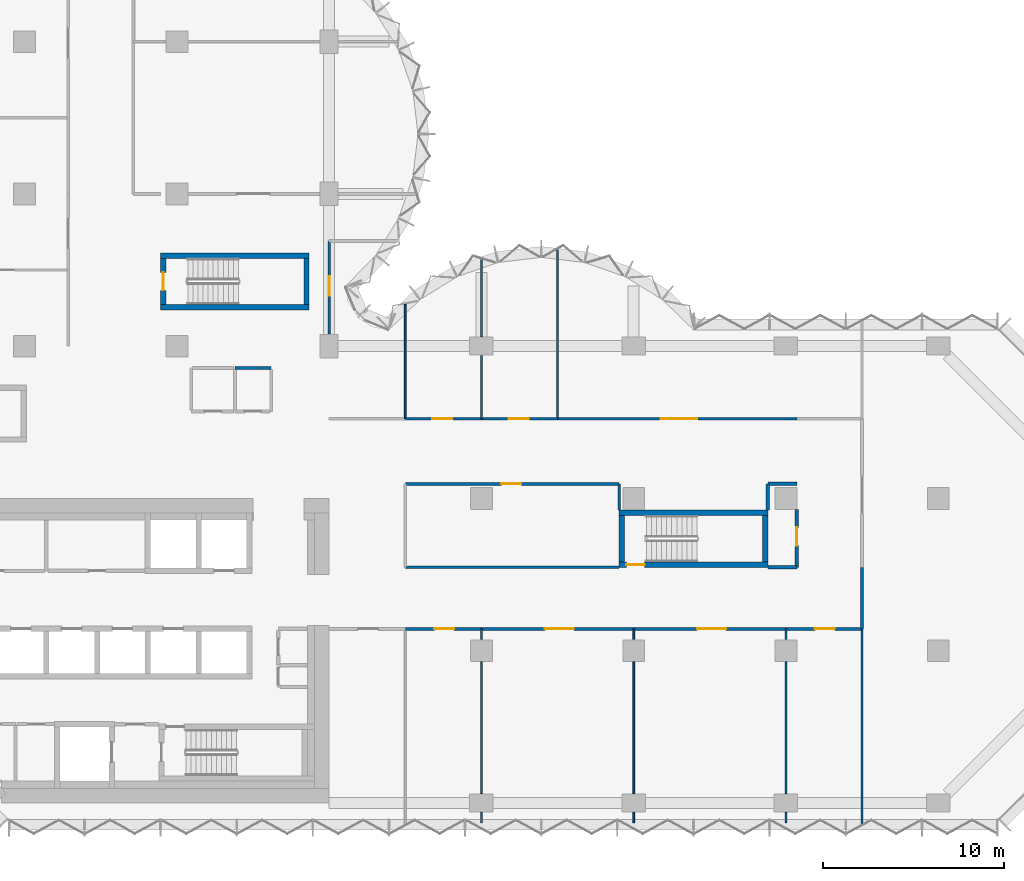
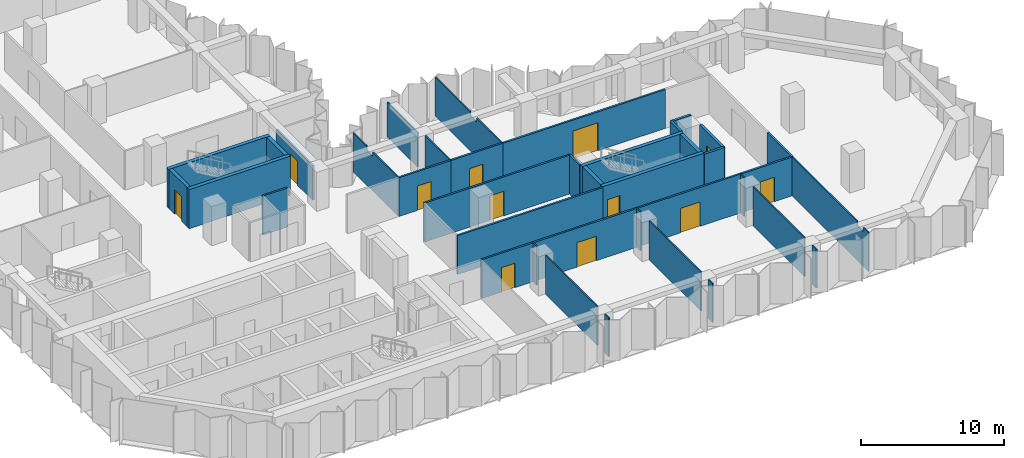
# One storey, part 9 of 13: 39 walls, 12 doors, 12 openings.
"""IFC4 building model written with IfcOpenShell, lengths in metres."""

from ifc_helpers import new_model, si_unit, direction, frame, frame_2d, origin, place, context, subcontext, project, spatial, polyline, rectangle, outline, extrude, material, layer, layer_set, type_object, element, fill, save


model = new_model("IFC4")

# Units and contexts
model_context = context("Model", 3, precision=1e-05, world=origin(), true_north=direction((0.0, 1.0)))
body_context = subcontext(model_context, "Body", "Model", "MODEL_VIEW")
ifc_project = project(units=[si_unit("LENGTHUNIT", "METRE"), si_unit("AREAUNIT", "SQUARE_METRE"), si_unit("VOLUMEUNIT", "CUBIC_METRE"), si_unit("PLANEANGLEUNIT", "RADIAN"), si_unit("MASSUNIT", "GRAM", prefix="KILO")], contexts=[model_context])

# Site, building, storey
site_placement = place(None, origin())
site = spatial("IfcSite", under=ifc_project, at=site_placement, CompositionType="ELEMENT")
building_placement = place(site_placement, origin())
building = spatial("IfcBuilding", under=site, at=building_placement, Name="Brevane Broadcast Tower", CompositionType="ELEMENT")
storey_placement = place(building_placement, frame((0.0, 0.0, 120.5)))
storey = spatial("IfcBuildingStorey", under=building, at=storey_placement, Name="L29", CompositionType="ELEMENT", Elevation=120.5)

# Walls
ifc_material_1 = material(Name="Gypsum board on steel studs", Category="steel")
ifc_layer_1 = layer(ifc_material_1, 0.14990234375)
ifc_layer_set_1 = layer_set([ifc_layer_1], Name="Core fire partition 150 mm")
wall_type_1 = type_object("IfcWallType", Name="Core fire partition 150 mm", PredefinedType="PARTITIONING", material=ifc_layer_set_1)
wall_1_placement = place(storey_placement, frame((20.0, 24.0, 0.0), z_axis=(0.0, 0.0, 1.0), x_axis=(1.0, 0.0, 0.0)))
element("IfcWall", 1, at=wall_1_placement, inside=storey, type_object=wall_type_1, Name="L29 partition wall P15", PredefinedType="PARTITIONING", context=body_context, shape_type="SweptSolid", body=[
    extrude(rectangle(XDim=2.0, YDim=0.14990234375, at=frame_2d((1.0, 0.0))), origin(), (0.0, 0.0, 1.0), 3.35009765625),
])
ifc_material_2 = material(Name="Concrete C60/75", Category="concrete")
ifc_layer_2 = layer(ifc_material_2, 0.300048828125)
ifc_layer_set_2 = layer_set([ifc_layer_2], Name="Core wall 300 mm C60/75")
wall_type_2 = type_object("IfcWallType", Name="Core wall 300 mm C60/75", PredefinedType="SHEAR", material=ifc_layer_set_2)
for number, where, z_axis, x_axis, name in (
    (2, (15.89990234375, 27.35009765625, 0.0), (0.0, 0.0, 1.0), (1.0, 0.0, 0.0), "L29 stair wall ST-3-S"),
    (3, (15.89990234375, 30.199951171875, 0.0), (0.0, 0.0, 1.0), (1.0, 0.0, 0.0), "L29 stair wall ST-3-N"),
):
    element("IfcWall", number, at=place(storey_placement, frame(where, z_axis=z_axis, x_axis=x_axis)), inside=storey, type_object=wall_type_2, Name=name, PredefinedType="SHEAR", context=body_context, shape_type="SweptSolid", body=[
        extrude(rectangle(XDim=8.2001953125, YDim=0.300048828125, at=frame_2d((4.10009765625, 0.0))), origin(), (0.0, 0.0, 1.0), 3.35009765625),
    ])

# Wall, opening, door
wall_2_placement = place(storey_placement, frame((16.050048828125, 27.5, 0.0), z_axis=(0.0, 0.0, 1.0), x_axis=(0.0, 1.0, 0.0)))
wall_2 = element("IfcWall", 4, at=wall_2_placement, inside=storey, type_object=wall_type_2, Name="L29 stair wall ST-3-W", PredefinedType="SHEAR", context=body_context, shape_type="SweptSolid", body=[
    extrude(rectangle(XDim=2.550048828125, YDim=0.300048828125, at=frame_2d((1.27490234375, 0.0))), origin(), (0.0, 0.0, 1.0), 3.35009765625),
])
opening_1_placement = place(wall_2_placement, frame((0.77490234375, 0.0, 0.0)))
opening_1 = element("IfcOpeningElement", 5, at=opening_1_placement, cuts=wall_2, Name="Opening L29-K14", PredefinedType="OPENING", context=body_context, shape_type="SweptSolid", body=[
    extrude(rectangle(XDim=1.0, YDim=2.10009765625, at=frame_2d((0.5, 1.050048828125))), frame((0.0, 0.159912109375, 0.0), z_axis=(0.0, -1.0, 0.0), x_axis=(1.0, 0.0, 0.0)), (0.0, 0.0, 1.0), 0.320068359375),
])
ifc_material_3 = material(Name="Steel", Category="steel")
door_type_1 = type_object("IfcDoorType", Name="Stair door 1000 x 2100", OperationType="SINGLE_SWING_LEFT", PredefinedType="DOOR", material=ifc_material_3)
door_1_placement = place(opening_1_placement, origin())
door_1 = element("IfcDoor", 6, at=door_1_placement, inside=storey, type_object=door_type_1, Name="Door L29-K14", OperationType="SINGLE_SWING_LEFT", OverallHeight=2.10009765625, OverallWidth=1.0, PredefinedType="DOOR", context=body_context, shape_type="SweptSolid", body=[
    extrude(rectangle(XDim=1.0, YDim=2.10009765625, at=frame_2d((0.5, 1.050048828125))), frame((0.0, 0.02490234375, 0.0), z_axis=(0.0, -1.0, 0.0), x_axis=(1.0, 0.0, 0.0)), (0.0, 0.0, 1.0), 0.050048828125),
])
fill(opening_1, door_1)

# Wall
wall_3_placement = place(storey_placement, frame((23.949951171875, 27.5, 0.0), z_axis=(0.0, 0.0, 1.0), x_axis=(0.0, 1.0, 0.0)))
element("IfcWall", 7, at=wall_3_placement, inside=storey, type_object=wall_type_2, Name="L29 stair wall ST-3-E", PredefinedType="SHEAR", context=body_context, shape_type="SweptSolid", body=[
    extrude(rectangle(XDim=2.550048828125, YDim=0.300048828125, at=frame_2d((1.27490234375, 0.0))), origin(), (0.0, 0.0, 1.0), 3.35009765625),
])

# Wall, opening, door
wall_4_placement = place(storey_placement, frame((49.39990234375, 13.14990234375, 0.0), z_axis=(0.0, 0.0, 1.0), x_axis=(-1.0, 0.0, 0.0)))
wall_4 = element("IfcWall", 8, at=wall_4_placement, inside=storey, type_object=wall_type_2, Name="L29 stair wall ST-4-S", PredefinedType="SHEAR", context=body_context, shape_type="SweptSolid", body=[
    extrude(rectangle(XDim=8.199951171875, YDim=0.300048828125, at=frame_2d((4.10009765625, 0.0))), origin(), (0.0, 0.0, 1.0), 3.35009765625),
])
opening_2_placement = place(wall_4_placement, frame((6.800048828125, 0.0, 0.0)))
opening_2 = element("IfcOpeningElement", 9, at=opening_2_placement, cuts=wall_4, Name="Opening L29-K15", PredefinedType="OPENING", context=body_context, shape_type="SweptSolid", body=[
    extrude(rectangle(XDim=1.0, YDim=2.10009765625, at=frame_2d((0.5, 1.050048828125))), frame((0.0, 0.159912109375, 0.0), z_axis=(0.0, -1.0, 0.0), x_axis=(1.0, 0.0, 0.0)), (0.0, 0.0, 1.0), 0.320068359375),
])
door_2_placement = place(opening_2_placement, origin())
door_2 = element("IfcDoor", 10, at=door_2_placement, inside=storey, type_object=door_type_1, Name="Door L29-K15", OperationType="SINGLE_SWING_RIGHT", OverallHeight=2.10009765625, OverallWidth=1.0, PredefinedType="DOOR", context=body_context, shape_type="SweptSolid", body=[
    extrude(rectangle(XDim=1.0, YDim=2.10009765625, at=frame_2d((0.5, 1.050048828125))), frame((0.0, 0.02490234375, 0.0), z_axis=(0.0, -1.0, 0.0), x_axis=(1.0, 0.0, 0.0)), (0.0, 0.0, 1.0), 0.050048828125),
])
fill(opening_2, door_2)

# Walls
wall_5_placement = place(storey_placement, frame((41.199951171875, 16.0, 0.0), z_axis=(0.0, 0.0, 1.0), x_axis=(1.0, 0.0, 0.0)))
element("IfcWall", 11, at=wall_5_placement, inside=storey, type_object=wall_type_2, Name="L29 stair wall ST-4-N", PredefinedType="SHEAR", context=body_context, shape_type="SweptSolid", body=[
    extrude(rectangle(XDim=8.199951171875, YDim=0.300048828125, at=frame_2d((4.10009765625, 0.0))), origin(), (0.0, 0.0, 1.0), 3.35009765625),
])
for number, where, z_axis, x_axis, name in (
    (12, (41.35009765625, 13.300048828125, 0.0), (0.0, 0.0, 1.0), (0.0, 1.0, 0.0), "L29 stair wall ST-4-W"),
    (13, (49.25, 13.300048828125, 0.0), (0.0, 0.0, 1.0), (0.0, 1.0, 0.0), "L29 stair wall ST-4-E"),
):
    element("IfcWall", number, at=place(storey_placement, frame(where, z_axis=z_axis, x_axis=x_axis)), inside=storey, type_object=wall_type_2, Name=name, PredefinedType="SHEAR", context=body_context, shape_type="SweptSolid", body=[
        extrude(rectangle(XDim=2.550048828125, YDim=0.300048828125, at=frame_2d((1.27490234375, 0.0))), origin(), (0.0, 0.0, 1.0), 3.35009765625),
    ])
ifc_material_4 = material(Name="Gypsum board partition")
ifc_layer_3 = layer(ifc_material_4, 0.10009765625)
ifc_layer_set_3 = layer_set([ifc_layer_3], Name="PARTITION 100 STUD")
wall_type_3 = type_object("IfcWallType", Name="PARTITION 100 STUD", PredefinedType="PARTITIONING", material=ifc_layer_set_3)
wall_6_placement = place(storey_placement, frame((29.39990234375, 27.510986328125, 0.0), z_axis=(0.0, 0.0, 1.0), x_axis=(0.0, -1.0, 0.0)))
element("IfcWall", 14, at=wall_6_placement, inside=storey, type_object=wall_type_3, Name="Partition G08-004", PredefinedType="PARTITIONING", context=body_context, shape_type="SweptSolid", body=[
    extrude(outline(polyline([(0.0, 0.0), (6.31103515625, 0.0), (6.31103515625, 3.330078125), (2.760986328125, 3.330078125), (2.759033203125, 2.97998046875), (1.863037109375, 2.97998046875), (1.861083984375, 3.330078125), (0.236083984375, 3.330078125), (0.0, 3.330078125), (0.0, 0.0)])), frame((0.0, 0.050048828125, 0.0), z_axis=(0.0, -1.0, 0.0), x_axis=(1.0, 0.0, 0.0)), (0.0, 0.0, 1.0), 0.10009765625),
])
wall_7_placement = place(storey_placement, frame((54.60009765625, -1.174072265625, 0.0), z_axis=(0.0, 0.0, 1.0), x_axis=(0.0, 1.0, 0.0)))
element("IfcWall", 15, at=wall_7_placement, inside=storey, type_object=wall_type_3, Name="Partition G08-015", PredefinedType="PARTITIONING", context=body_context, shape_type="SweptSolid", body=[
    extrude(outline(polyline([(0.0, 0.0), (10.774169921875, 0.0), (10.77392578125, 3.330078125), (1.6240234375, 3.330078125), (1.6220703125, 2.97998046875), (0.72607421875, 2.97998046875), (0.72412109375, 3.330078125), (0.073974609375, 3.330078125), (0.0, 3.330078125), (0.0, 0.0)])), frame((0.0, 0.050048828125, 0.0), z_axis=(0.0, -1.0, 0.0), x_axis=(1.0, 0.0, 0.0)), (0.0, 0.0, 1.0), 0.10009765625),
])
wall_8_placement = place(storey_placement, frame((33.60009765625, 9.60009765625, 0.0), z_axis=(0.0, 0.0, 1.0), x_axis=(0.0, -1.0, 0.0)))
element("IfcWall", 16, at=wall_8_placement, inside=storey, type_object=wall_type_3, Name="Partition G08-027", PredefinedType="PARTITIONING", context=body_context, shape_type="SweptSolid", body=[
    extrude(rectangle(XDim=0.580078125, YDim=0.10009765625, at=frame_2d((0.2900390625, 0.0))), origin(), (0.0, 0.0, 1.0), 3.330078125),
])
wall_9_placement = place(storey_placement, frame((33.60009765625, 7.780029296875, 0.0), z_axis=(0.0, 0.0, 1.0), x_axis=(0.0, -1.0, 0.0)))
element("IfcWall", 17, at=wall_9_placement, inside=storey, type_object=wall_type_3, Name="Partition G08-028", PredefinedType="PARTITIONING", context=body_context, shape_type="SweptSolid", body=[
    extrude(rectangle(XDim=7.260009765625, YDim=0.10009765625, at=frame_2d((3.6298828125, 0.0))), origin(), (0.0, 0.0, 1.0), 3.330078125),
])
for number, where, z_axis, x_axis, name in (
    (18, (33.60009765625, -0.52001953125, 0.0), (0.0, 0.0, 1.0), (0.0, -1.0, 0.0), "Partition G08-029"),
    (19, (42.0, 9.60009765625, 0.0), (0.0, 0.0, 1.0), (0.0, -1.0, 0.0), "Partition G08-030"),
):
    element("IfcWall", number, at=place(storey_placement, frame(where, z_axis=z_axis, x_axis=x_axis)), inside=storey, type_object=wall_type_3, Name=name, PredefinedType="PARTITIONING", context=body_context, shape_type="SweptSolid", body=[
        extrude(rectangle(XDim=0.580078125, YDim=0.10009765625, at=frame_2d((0.2900390625, 0.0))), origin(), (0.0, 0.0, 1.0), 3.330078125),
    ])
wall_10_placement = place(storey_placement, frame((42.0, 7.780029296875, 0.0), z_axis=(0.0, 0.0, 1.0), x_axis=(0.0, -1.0, 0.0)))
element("IfcWall", 20, at=wall_10_placement, inside=storey, type_object=wall_type_3, Name="Partition G08-031", PredefinedType="PARTITIONING", context=body_context, shape_type="SweptSolid", body=[
    extrude(rectangle(XDim=7.260009765625, YDim=0.10009765625, at=frame_2d((3.6298828125, 0.0))), origin(), (0.0, 0.0, 1.0), 3.330078125),
])
for number, where, z_axis, x_axis, name in (
    (21, (42.0, -0.52001953125, 0.0), (0.0, 0.0, 1.0), (0.0, -1.0, 0.0), "Partition G08-032"),
    (22, (50.39990234375, 9.60009765625, 0.0), (0.0, 0.0, 1.0), (0.0, -1.0, 0.0), "Partition G08-033"),
):
    element("IfcWall", number, at=place(storey_placement, frame(where, z_axis=z_axis, x_axis=x_axis)), inside=storey, type_object=wall_type_3, Name=name, PredefinedType="PARTITIONING", context=body_context, shape_type="SweptSolid", body=[
        extrude(rectangle(XDim=0.580078125, YDim=0.10009765625, at=frame_2d((0.2900390625, 0.0))), origin(), (0.0, 0.0, 1.0), 3.330078125),
    ])
wall_11_placement = place(storey_placement, frame((50.39990234375, 7.780029296875, 0.0), z_axis=(0.0, 0.0, 1.0), x_axis=(0.0, -1.0, 0.0)))
element("IfcWall", 23, at=wall_11_placement, inside=storey, type_object=wall_type_3, Name="Partition G08-034", PredefinedType="PARTITIONING", context=body_context, shape_type="SweptSolid", body=[
    extrude(rectangle(XDim=7.260009765625, YDim=0.10009765625, at=frame_2d((3.6298828125, 0.0))), origin(), (0.0, 0.0, 1.0), 3.330078125),
])
wall_12_placement = place(storey_placement, frame((50.39990234375, -0.52001953125, 0.0), z_axis=(0.0, 0.0, 1.0), x_axis=(0.0, -1.0, 0.0)))
element("IfcWall", 24, at=wall_12_placement, inside=storey, type_object=wall_type_3, Name="Partition G08-035", PredefinedType="PARTITIONING", context=body_context, shape_type="SweptSolid", body=[
    extrude(rectangle(XDim=0.580078125, YDim=0.10009765625, at=frame_2d((0.2900390625, 0.0))), origin(), (0.0, 0.0, 1.0), 3.330078125),
])
wall_13_placement = place(storey_placement, frame((33.60009765625, 29.98828125, 0.0), z_axis=(0.0, 0.0, 1.0), x_axis=(0.0, -1.0, 0.0)))
element("IfcWall", 25, at=wall_13_placement, inside=storey, type_object=wall_type_3, Name="Partition G08-036", PredefinedType="PARTITIONING", context=body_context, shape_type="SweptSolid", body=[
    extrude(rectangle(XDim=4.268310546875, YDim=0.10009765625, at=frame_2d((2.13427734375, 0.0))), origin(), (0.0, 0.0, 1.0), 2.97998046875),
])
wall_14_placement = place(storey_placement, frame((33.60009765625, 24.679931640625, 0.0), z_axis=(0.0, 0.0, 1.0), x_axis=(0.0, -1.0, 0.0)))
element("IfcWall", 26, at=wall_14_placement, inside=storey, type_object=wall_type_3, Name="Partition G08-037", PredefinedType="PARTITIONING", context=body_context, shape_type="SweptSolid", body=[
    extrude(rectangle(XDim=3.47998046875, YDim=0.10009765625, at=frame_2d((1.739990234375, 0.0))), origin(), (0.0, 0.0, 1.0), 3.330078125),
])
wall_15_placement = place(storey_placement, frame((37.800048828125, 30.52587890625, 0.0), z_axis=(0.0, 0.0, 1.0), x_axis=(0.0, -1.0, 0.0)))
element("IfcWall", 27, at=wall_15_placement, inside=storey, type_object=wall_type_3, Name="Partition G08-038", PredefinedType="PARTITIONING", context=body_context, shape_type="SweptSolid", body=[
    extrude(outline(polyline([(0.0, 0.0), (9.325927734375, 0.0), (9.325927734375, 3.330078125), (5.77587890625, 3.330078125), (5.77392578125, 2.97998046875), (4.8779296875, 2.97998046875), (4.8759765625, 3.330078125), (0.283203125, 3.330078125), (0.0, 3.330078125), (0.0, 0.0)])), frame((0.0, 0.050048828125, 0.0), z_axis=(0.0, -1.0, 0.0), x_axis=(1.0, 0.0, 0.0)), (0.0, 0.0, 1.0), 0.10009765625),
])

# Wall, opening, door
ifc_layer_4 = layer(ifc_material_4, 0.14990234375)
ifc_layer_set_4 = layer_set([ifc_layer_4], Name="PARTITION 150 EI 60")
wall_type_4 = type_object("IfcWallType", Name="PARTITION 150 EI 60", PredefinedType="PARTITIONING", material=ifc_layer_set_4)
wall_16_placement = place(storey_placement, frame((25.199951171875, 31.0, 0.0), z_axis=(0.0, 0.0, 1.0), x_axis=(0.0, -1.0, 0.0)))
wall_16 = element("IfcWall", 28, at=wall_16_placement, inside=storey, type_object=wall_type_4, Name="Partition G08-005", PredefinedType="PARTITIONING", context=body_context, shape_type="SweptSolid", body=[
    extrude(outline(polyline([(0.0, 0.0), (5.1298828125, 0.0), (5.1298828125, 2.97998046875), (0.0, 2.97998046875), (0.0, 0.0)])), frame((0.0, 0.074951171875, 0.0), z_axis=(0.0, -1.0, 0.0), x_axis=(1.0, 0.0, 0.0)), (0.0, 0.0, 1.0), 0.14990234375),
])
opening_3_placement = place(wall_16_placement, frame((1.929931640625, 0.0, 0.0)))
opening_3 = element("IfcOpeningElement", 29, at=opening_3_placement, cuts=wall_16, Name="Opening D15-001", PredefinedType="OPENING", context=body_context, shape_type="SweptSolid", body=[
    extrude(rectangle(XDim=1.10009765625, YDim=2.10009765625, at=frame_2d((0.550048828125, 1.050048828125))), frame((0.0, 0.0849609375, 0.0), z_axis=(0.0, -1.0, 0.0), x_axis=(1.0, 0.0, 0.0)), (0.0, 0.0, 1.0), 0.169921875),
])
ifc_material_5 = material(Name="Fire-rated timber door leaf", Category="wood")
door_type_2 = type_object("IfcDoorType", Name="DOOR SINGLE 1100 FD30S", OperationType="SINGLE_SWING_LEFT", PredefinedType="DOOR", material=ifc_material_5)
door_3_placement = place(opening_3_placement, origin())
door_3 = element("IfcDoor", 30, at=door_3_placement, inside=storey, type_object=door_type_2, Name="Door D15-001", OperationType="SINGLE_SWING_RIGHT", OverallHeight=2.10009765625, OverallWidth=1.10009765625, PredefinedType="DOOR", context=body_context, shape_type="SweptSolid", body=[
    extrude(rectangle(XDim=1.10009765625, YDim=2.10009765625, at=frame_2d((0.550048828125, 1.050048828125))), frame((0.0, 0.02490234375, 0.0), z_axis=(0.0, -1.0, 0.0), x_axis=(1.0, 0.0, 0.0)), (0.0, 0.0, 1.0), 0.050048828125),
])
fill(opening_3, door_3)

# Walls
wall_17_placement = place(storey_placement, frame((54.60009765625, 13.0, 0.0), z_axis=(0.0, 0.0, 1.0), x_axis=(0.0, -1.0, 0.0)))
element("IfcWall", 31, at=wall_17_placement, inside=storey, type_object=wall_type_4, Name="Partition G08-007", PredefinedType="PARTITIONING", context=body_context, shape_type="SweptSolid", body=[
    extrude(rectangle(XDim=3.39990234375, YDim=0.14990234375, at=frame_2d((1.699951171875, 0.0))), origin(), (0.0, 0.0, 1.0), 3.330078125),
])
wall_18_placement = place(storey_placement, frame((29.39990234375, 13.0, 0.0), z_axis=(0.0, 0.0, 1.0), x_axis=(1.0, 0.0, 0.0)))
element("IfcWall", 32, at=wall_18_placement, inside=storey, type_object=wall_type_4, Name="Partition G08-008", PredefinedType="PARTITIONING", context=body_context, shape_type="SweptSolid", body=[
    extrude(rectangle(XDim=11.800048828125, YDim=0.14990234375, at=frame_2d((5.89990234375, 0.0))), origin(), (0.0, 0.0, 1.0), 3.330078125),
])

# Wall, opening, door
wall_19_placement = place(storey_placement, frame((33.60009765625, 9.60009765625, 0.0), z_axis=(0.0, 0.0, 1.0), x_axis=(-1.0, 0.0, 0.0)))
wall_19 = element("IfcWall", 33, at=wall_19_placement, inside=storey, type_object=wall_type_4, Name="Partition G08-010", PredefinedType="PARTITIONING", context=body_context, shape_type="SweptSolid", body=[
    extrude(rectangle(XDim=4.2001953125, YDim=0.14990234375, at=frame_2d((2.10009765625, 0.0))), origin(), (0.0, 0.0, 1.0), 3.330078125),
])
opening_4_placement = place(wall_19_placement, frame((1.5, 0.0, 0.0)))
opening_4 = element("IfcOpeningElement", 34, at=opening_4_placement, cuts=wall_19, Name="Opening D15-006", PredefinedType="OPENING", context=body_context, shape_type="SweptSolid", body=[
    extrude(rectangle(XDim=1.10009765625, YDim=2.10009765625, at=frame_2d((0.550048828125, 1.050048828125))), frame((0.0, 0.0849609375, 0.0), z_axis=(0.0, -1.0, 0.0), x_axis=(1.0, 0.0, 0.0)), (0.0, 0.0, 1.0), 0.169921875),
])
door_4_placement = place(opening_4_placement, origin())
door_4 = element("IfcDoor", 35, at=door_4_placement, inside=storey, type_object=door_type_2, Name="Door D15-006", OperationType="SINGLE_SWING_LEFT", OverallHeight=2.10009765625, OverallWidth=1.10009765625, PredefinedType="DOOR", context=body_context, shape_type="SweptSolid", body=[
    extrude(rectangle(XDim=1.10009765625, YDim=2.10009765625, at=frame_2d((0.550048828125, 1.050048828125))), frame((0.0, 0.02490234375, 0.0), z_axis=(0.0, -1.0, 0.0), x_axis=(1.0, 0.0, 0.0)), (0.0, 0.0, 1.0), 0.050048828125),
])
fill(opening_4, door_4)

wall_20_placement = place(storey_placement, frame((42.0, 9.60009765625, 0.0), z_axis=(0.0, 0.0, 1.0), x_axis=(-1.0, 0.0, 0.0)))
wall_20 = element("IfcWall", 36, at=wall_20_placement, inside=storey, type_object=wall_type_4, Name="Partition G08-011", PredefinedType="PARTITIONING", context=body_context, shape_type="SweptSolid", body=[
    extrude(rectangle(XDim=8.39990234375, YDim=0.14990234375, at=frame_2d((4.199951171875, 0.0))), origin(), (0.0, 0.0, 1.0), 3.330078125),
])
opening_5_placement = place(wall_20_placement, frame((3.300048828125, 0.0, 0.0)))
opening_5 = element("IfcOpeningElement", 37, at=opening_5_placement, cuts=wall_20, Name="Opening D15-007", PredefinedType="OPENING", context=body_context, shape_type="SweptSolid", body=[
    extrude(rectangle(XDim=1.60009765625, YDim=2.10009765625, at=frame_2d((0.800048828125, 1.050048828125))), frame((0.0, 0.0849609375, 0.0), z_axis=(0.0, -1.0, 0.0), x_axis=(1.0, 0.0, 0.0)), (0.0, 0.0, 1.0), 0.169921875),
])
door_type_3 = type_object("IfcDoorType", Name="DOOR DOUBLE 1600 FD30S", OperationType="DOUBLE_DOOR_SINGLE_SWING", PredefinedType="DOOR", material=ifc_material_5)
door_5_placement = place(opening_5_placement, origin())
door_5 = element("IfcDoor", 38, at=door_5_placement, inside=storey, type_object=door_type_3, Name="Door D15-007", OperationType="DOUBLE_DOOR_SINGLE_SWING", OverallHeight=2.10009765625, OverallWidth=1.60009765625, PredefinedType="DOOR", context=body_context, shape_type="SweptSolid", body=[
    extrude(rectangle(XDim=1.60009765625, YDim=2.10009765625, at=frame_2d((0.800048828125, 1.050048828125))), frame((0.0, 0.02490234375, 0.0), z_axis=(0.0, -1.0, 0.0), x_axis=(1.0, 0.0, 0.0)), (0.0, 0.0, 1.0), 0.050048828125),
])
fill(opening_5, door_5)

wall_21_placement = place(storey_placement, frame((50.39990234375, 9.60009765625, 0.0), z_axis=(0.0, 0.0, 1.0), x_axis=(-1.0, 0.0, 0.0)))
wall_21 = element("IfcWall", 39, at=wall_21_placement, inside=storey, type_object=wall_type_4, Name="Partition G08-012", PredefinedType="PARTITIONING", context=body_context, shape_type="SweptSolid", body=[
    extrude(rectangle(XDim=8.39990234375, YDim=0.14990234375, at=frame_2d((4.199951171875, 0.0))), origin(), (0.0, 0.0, 1.0), 3.330078125),
])
opening_6_placement = place(wall_21_placement, frame((3.300048828125, 0.0, 0.0)))
opening_6 = element("IfcOpeningElement", 40, at=opening_6_placement, cuts=wall_21, Name="Opening D15-008", PredefinedType="OPENING", context=body_context, shape_type="SweptSolid", body=[
    extrude(rectangle(XDim=1.60009765625, YDim=2.10009765625, at=frame_2d((0.800048828125, 1.050048828125))), frame((0.0, 0.0849609375, 0.0), z_axis=(0.0, -1.0, 0.0), x_axis=(1.0, 0.0, 0.0)), (0.0, 0.0, 1.0), 0.169921875),
])
door_6_placement = place(opening_6_placement, origin())
door_6 = element("IfcDoor", 41, at=door_6_placement, inside=storey, type_object=door_type_3, Name="Door D15-008", OperationType="DOUBLE_DOOR_SINGLE_SWING", OverallHeight=2.10009765625, OverallWidth=1.60009765625, PredefinedType="DOOR", context=body_context, shape_type="SweptSolid", body=[
    extrude(rectangle(XDim=1.60009765625, YDim=2.10009765625, at=frame_2d((0.800048828125, 1.050048828125))), frame((0.0, 0.02490234375, 0.0), z_axis=(0.0, -1.0, 0.0), x_axis=(1.0, 0.0, 0.0)), (0.0, 0.0, 1.0), 0.050048828125),
])
fill(opening_6, door_6)

wall_22_placement = place(storey_placement, frame((54.60009765625, 9.60009765625, 0.0), z_axis=(0.0, 0.0, 1.0), x_axis=(-1.0, 0.0, 0.0)))
wall_22 = element("IfcWall", 42, at=wall_22_placement, inside=storey, type_object=wall_type_4, Name="Partition G08-013", PredefinedType="PARTITIONING", context=body_context, shape_type="SweptSolid", body=[
    extrude(rectangle(XDim=4.2001953125, YDim=0.14990234375, at=frame_2d((2.10009765625, 0.0))), origin(), (0.0, 0.0, 1.0), 3.330078125),
])
opening_7_placement = place(wall_22_placement, frame((1.5, 0.0, 0.0)))
opening_7 = element("IfcOpeningElement", 43, at=opening_7_placement, cuts=wall_22, Name="Opening D15-009", PredefinedType="OPENING", context=body_context, shape_type="SweptSolid", body=[
    extrude(rectangle(XDim=1.10009765625, YDim=2.10009765625, at=frame_2d((0.550048828125, 1.050048828125))), frame((0.0, 0.0849609375, 0.0), z_axis=(0.0, -1.0, 0.0), x_axis=(1.0, 0.0, 0.0)), (0.0, 0.0, 1.0), 0.169921875),
])
door_7_placement = place(opening_7_placement, origin())
door_7 = element("IfcDoor", 44, at=door_7_placement, inside=storey, type_object=door_type_2, Name="Door D15-009", OperationType="SINGLE_SWING_LEFT", OverallHeight=2.10009765625, OverallWidth=1.10009765625, PredefinedType="DOOR", context=body_context, shape_type="SweptSolid", body=[
    extrude(rectangle(XDim=1.10009765625, YDim=2.10009765625, at=frame_2d((0.550048828125, 1.050048828125))), frame((0.0, 0.02490234375, 0.0), z_axis=(0.0, -1.0, 0.0), x_axis=(1.0, 0.0, 0.0)), (0.0, 0.0, 1.0), 0.050048828125),
])
fill(opening_7, door_7)

# Wall
wall_23_placement = place(storey_placement, frame((41.199951171875, 16.14990234375, 0.0), z_axis=(0.0, 0.0, 1.0), x_axis=(0.0, 1.0, 0.0)))
element("IfcWall", 45, at=wall_23_placement, inside=storey, type_object=wall_type_4, Name="Partition G08-017", PredefinedType="PARTITIONING", context=body_context, shape_type="SweptSolid", body=[
    extrude(rectangle(XDim=1.4501953125, YDim=0.14990234375, at=frame_2d((0.72509765625, 0.0))), origin(), (0.0, 0.0, 1.0), 3.330078125),
])

# Wall, opening, door
wall_24_placement = place(storey_placement, frame((41.199951171875, 17.60009765625, 0.0), z_axis=(0.0, 0.0, 1.0), x_axis=(-1.0, 0.0, 0.0)))
wall_24 = element("IfcWall", 46, at=wall_24_placement, inside=storey, type_object=wall_type_4, Name="Partition G08-018", PredefinedType="PARTITIONING", context=body_context, shape_type="SweptSolid", body=[
    extrude(rectangle(XDim=11.800048828125, YDim=0.14990234375, at=frame_2d((5.89990234375, 0.0))), origin(), (0.0, 0.0, 1.0), 3.330078125),
])
opening_8_placement = place(wall_24_placement, frame((5.39990234375, 0.0, 0.0)))
opening_8 = element("IfcOpeningElement", 47, at=opening_8_placement, cuts=wall_24, Name="Opening D15-003", PredefinedType="OPENING", context=body_context, shape_type="SweptSolid", body=[
    extrude(rectangle(XDim=1.10009765625, YDim=2.10009765625, at=frame_2d((0.550048828125, 1.050048828125))), frame((0.0, 0.0849609375, 0.0), z_axis=(0.0, -1.0, 0.0), x_axis=(1.0, 0.0, 0.0)), (0.0, 0.0, 1.0), 0.169921875),
])
door_8_placement = place(opening_8_placement, origin())
door_8 = element("IfcDoor", 48, at=door_8_placement, inside=storey, type_object=door_type_2, Name="Door D15-003", OperationType="SINGLE_SWING_LEFT", OverallHeight=2.10009765625, OverallWidth=1.10009765625, PredefinedType="DOOR", context=body_context, shape_type="SweptSolid", body=[
    extrude(rectangle(XDim=1.10009765625, YDim=2.10009765625, at=frame_2d((0.550048828125, 1.050048828125))), frame((0.0, 0.02490234375, 0.0), z_axis=(0.0, -1.0, 0.0), x_axis=(1.0, 0.0, 0.0)), (0.0, 0.0, 1.0), 0.050048828125),
])
fill(opening_8, door_8)

wall_25_placement = place(storey_placement, frame((29.39990234375, 21.199951171875, 0.0), z_axis=(0.0, 0.0, 1.0), x_axis=(1.0, 0.0, 0.0)))
wall_25 = element("IfcWall", 49, at=wall_25_placement, inside=storey, type_object=wall_type_4, Name="Partition G08-021", PredefinedType="PARTITIONING", context=body_context, shape_type="SweptSolid", body=[
    extrude(rectangle(XDim=4.2001953125, YDim=0.14990234375, at=frame_2d((2.10009765625, 0.0))), origin(), (0.0, 0.0, 1.0), 3.330078125),
])
opening_9_placement = place(wall_25_placement, frame((1.5, 0.0, 0.0)))
opening_9 = element("IfcOpeningElement", 50, at=opening_9_placement, cuts=wall_25, Name="Opening D15-010", PredefinedType="OPENING", context=body_context, shape_type="SweptSolid", body=[
    extrude(rectangle(XDim=1.10009765625, YDim=2.10009765625, at=frame_2d((0.550048828125, 1.050048828125))), frame((0.0, 0.0849609375, 0.0), z_axis=(0.0, -1.0, 0.0), x_axis=(1.0, 0.0, 0.0)), (0.0, 0.0, 1.0), 0.169921875),
])
door_9_placement = place(opening_9_placement, origin())
door_9 = element("IfcDoor", 51, at=door_9_placement, inside=storey, type_object=door_type_2, Name="Door D15-010", OperationType="SINGLE_SWING_LEFT", OverallHeight=2.10009765625, OverallWidth=1.10009765625, PredefinedType="DOOR", context=body_context, shape_type="SweptSolid", body=[
    extrude(rectangle(XDim=1.10009765625, YDim=2.10009765625, at=frame_2d((0.550048828125, 1.050048828125))), frame((0.0, 0.02490234375, 0.0), z_axis=(0.0, -1.0, 0.0), x_axis=(1.0, 0.0, 0.0)), (0.0, 0.0, 1.0), 0.050048828125),
])
fill(opening_9, door_9)

wall_26_placement = place(storey_placement, frame((33.60009765625, 21.199951171875, 0.0), z_axis=(0.0, 0.0, 1.0), x_axis=(1.0, 0.0, 0.0)))
wall_26 = element("IfcWall", 52, at=wall_26_placement, inside=storey, type_object=wall_type_4, Name="Partition G08-022", PredefinedType="PARTITIONING", context=body_context, shape_type="SweptSolid", body=[
    extrude(rectangle(XDim=4.199951171875, YDim=0.14990234375, at=frame_2d((2.10009765625, 0.0))), origin(), (0.0, 0.0, 1.0), 3.330078125),
])
opening_10_placement = place(wall_26_placement, frame((1.5, 0.0, 0.0)))
opening_10 = element("IfcOpeningElement", 53, at=opening_10_placement, cuts=wall_26, Name="Opening D15-011", PredefinedType="OPENING", context=body_context, shape_type="SweptSolid", body=[
    extrude(rectangle(XDim=1.10009765625, YDim=2.10009765625, at=frame_2d((0.550048828125, 1.050048828125))), frame((0.0, 0.0849609375, 0.0), z_axis=(0.0, -1.0, 0.0), x_axis=(1.0, 0.0, 0.0)), (0.0, 0.0, 1.0), 0.169921875),
])
door_10_placement = place(opening_10_placement, origin())
door_10 = element("IfcDoor", 54, at=door_10_placement, inside=storey, type_object=door_type_2, Name="Door D15-011", OperationType="SINGLE_SWING_LEFT", OverallHeight=2.10009765625, OverallWidth=1.10009765625, PredefinedType="DOOR", context=body_context, shape_type="SweptSolid", body=[
    extrude(rectangle(XDim=1.10009765625, YDim=2.10009765625, at=frame_2d((0.550048828125, 1.050048828125))), frame((0.0, 0.02490234375, 0.0), z_axis=(0.0, -1.0, 0.0), x_axis=(1.0, 0.0, 0.0)), (0.0, 0.0, 1.0), 0.050048828125),
])
fill(opening_10, door_10)

wall_27_placement = place(storey_placement, frame((37.800048828125, 21.199951171875, 0.0), z_axis=(0.0, 0.0, 1.0), x_axis=(1.0, 0.0, 0.0)))
wall_27 = element("IfcWall", 55, at=wall_27_placement, inside=storey, type_object=wall_type_4, Name="Partition G08-023", PredefinedType="PARTITIONING", context=body_context, shape_type="SweptSolid", body=[
    extrude(rectangle(XDim=13.199951171875, YDim=0.14990234375, at=frame_2d((6.60009765625, 0.0))), origin(), (0.0, 0.0, 1.0), 3.330078125),
])
opening_11_placement = place(wall_27_placement, frame((5.699951171875, 0.0, 0.0)))
opening_11 = element("IfcOpeningElement", 56, at=opening_11_placement, cuts=wall_27, Name="Opening D15-012", PredefinedType="OPENING", context=body_context, shape_type="SweptSolid", body=[
    extrude(rectangle(XDim=2.0, YDim=2.39990234375, at=frame_2d((1.0, 1.199951171875))), frame((0.0, 0.0849609375, 0.0), z_axis=(0.0, -1.0, 0.0), x_axis=(1.0, 0.0, 0.0)), (0.0, 0.0, 1.0), 0.169921875),
])
door_type_4 = type_object("IfcDoorType", Name="DOOR DOUBLE 2000 FD30S", OperationType="DOUBLE_DOOR_SINGLE_SWING", PredefinedType="DOOR", material=ifc_material_5)
door_11_placement = place(opening_11_placement, origin())
door_11 = element("IfcDoor", 57, at=door_11_placement, inside=storey, type_object=door_type_4, Name="Door D15-012", OperationType="DOUBLE_DOOR_SINGLE_SWING", OverallHeight=2.39990234375, OverallWidth=2.0, PredefinedType="DOOR", context=body_context, shape_type="SweptSolid", body=[
    extrude(rectangle(XDim=2.0, YDim=2.39990234375, at=frame_2d((1.0, 1.199951171875))), frame((0.0, 0.02490234375, 0.0), z_axis=(0.0, -1.0, 0.0), x_axis=(1.0, 0.0, 0.0)), (0.0, 0.0, 1.0), 0.050048828125),
])
fill(opening_11, door_11)

# Walls
ifc_layer_5 = layer(ifc_material_4, 0.199951171875)
ifc_layer_set_5 = layer_set([ifc_layer_5], Name="PARTITION 200 EI 120")
wall_type_5 = type_object("IfcWallType", Name="PARTITION 200 EI 120", PredefinedType="PARTITIONING", material=ifc_layer_set_5)
for number, where, z_axis, x_axis, name in (
    (58, (49.39990234375, 13.0, 0.0), (0.0, 0.0, 1.0), (1.0, 0.0, 0.0), "Partition G08-009"),
    (59, (51.0, 17.60009765625, 0.0), (0.0, 0.0, 1.0), (-1.0, 0.0, 0.0), "Partition G08-019"),
):
    element("IfcWall", number, at=place(storey_placement, frame(where, z_axis=z_axis, x_axis=x_axis)), inside=storey, type_object=wall_type_5, Name=name, PredefinedType="PARTITIONING", context=body_context, shape_type="SweptSolid", body=[
        extrude(rectangle(XDim=1.60009765625, YDim=0.199951171875, at=frame_2d((0.800048828125, 0.0))), origin(), (0.0, 0.0, 1.0), 3.330078125),
    ])
wall_28_placement = place(storey_placement, frame((49.39990234375, 17.60009765625, 0.0), z_axis=(0.0, 0.0, 1.0), x_axis=(0.0, -1.0, 0.0)))
element("IfcWall", 60, at=wall_28_placement, inside=storey, type_object=wall_type_5, Name="Partition G08-020", PredefinedType="PARTITIONING", context=body_context, shape_type="SweptSolid", body=[
    extrude(rectangle(XDim=1.4501953125, YDim=0.199951171875, at=frame_2d((0.72509765625, 0.0))), origin(), (0.0, 0.0, 1.0), 3.330078125),
])

# Wall, opening, door
wall_29_placement = place(storey_placement, frame((51.0, 13.0, 0.0), z_axis=(0.0, 0.0, 1.0), x_axis=(0.0, 1.0, 0.0)))
wall_29 = element("IfcWall", 61, at=wall_29_placement, inside=storey, type_object=wall_type_5, Name="Partition G08-024", PredefinedType="PARTITIONING", context=body_context, shape_type="SweptSolid", body=[
    extrude(rectangle(XDim=3.179931640625, YDim=0.199951171875, at=frame_2d((1.58984375, 0.0))), origin(), (0.0, 0.0, 1.0), 3.330078125),
])
opening_12_placement = place(wall_29_placement, frame((1.199951171875, 0.0, 0.0)))
opening_12 = element("IfcOpeningElement", 62, at=opening_12_placement, cuts=wall_29, Name="Opening D15-004", PredefinedType="OPENING", context=body_context, shape_type="SweptSolid", body=[
    extrude(rectangle(XDim=1.0, YDim=2.10009765625, at=frame_2d((0.5, 1.050048828125))), frame((0.0, 0.10986328125, 0.0), z_axis=(0.0, -1.0, 0.0), x_axis=(1.0, 0.0, 0.0)), (0.0, 0.0, 1.0), 0.219970703125),
])
door_type_5 = type_object("IfcDoorType", Name="DOOR SINGLE 1000 FD60", OperationType="SINGLE_SWING_LEFT", PredefinedType="DOOR", material=ifc_material_5)
door_12_placement = place(opening_12_placement, origin())
door_12 = element("IfcDoor", 63, at=door_12_placement, inside=storey, type_object=door_type_5, Name="Door D15-004", OperationType="SINGLE_SWING_LEFT", OverallHeight=2.10009765625, OverallWidth=1.0, PredefinedType="DOOR", context=body_context, shape_type="SweptSolid", body=[
    extrude(rectangle(XDim=1.0, YDim=2.10009765625, at=frame_2d((0.5, 1.050048828125))), frame((0.0, 0.02490234375, 0.0), z_axis=(0.0, -1.0, 0.0), x_axis=(1.0, 0.0, 0.0)), (0.0, 0.0, 1.0), 0.050048828125),
])
fill(opening_12, door_12)

save(model, "model.ifc")
